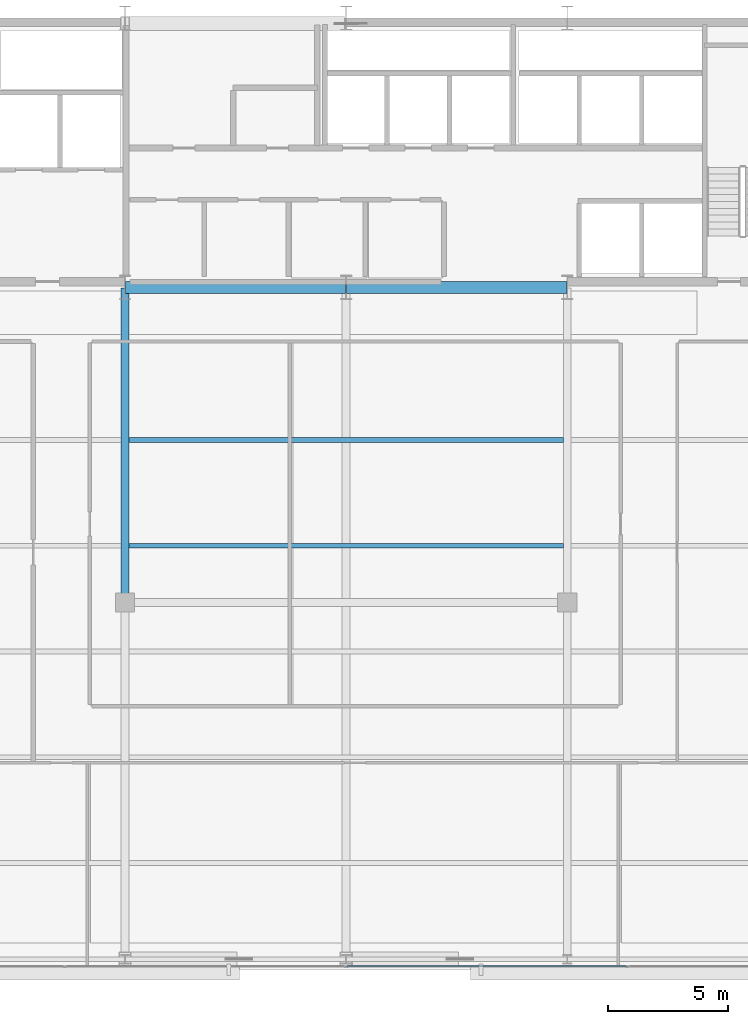
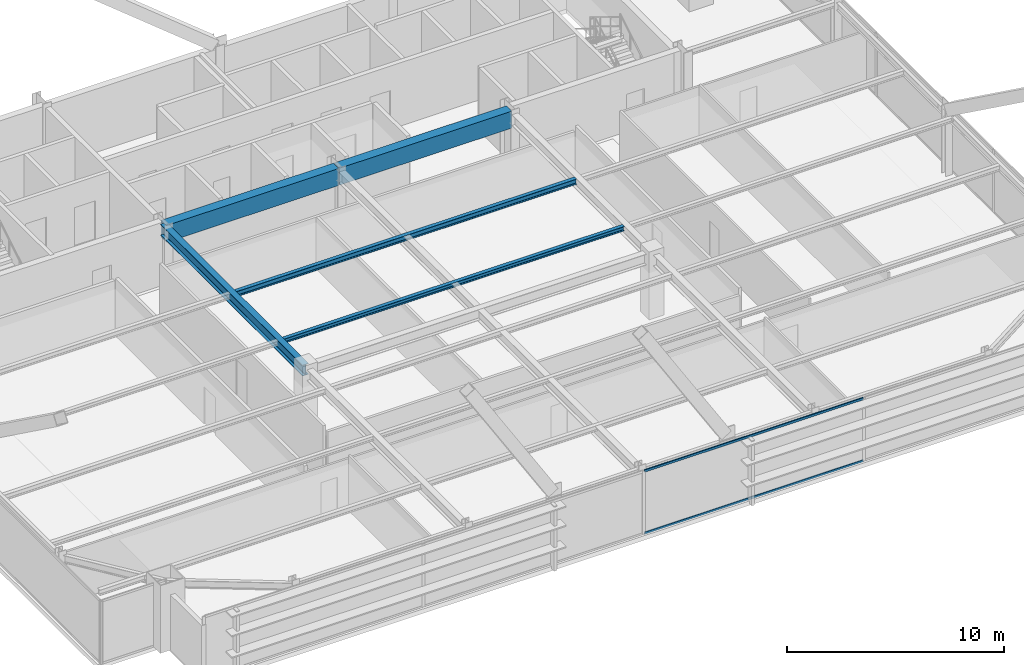
# One storey, part 12 of 30: 5 beams, 2 members, 1 element without a shape of its own.
"""IFC4 building model written with IfcOpenShell, lengths in metres."""

import ifcopenshell
import ifcopenshell.guid

model = None  # the IFC model being written
_history = None  # IfcOwnerHistory: only IFC2X3 demands one
_inside = {}  # id of a spatial element -> (the spatial element, [elements in it])
_under = {}  # id of a project, library or spatial element -> (it, [spatial elements below it])
_declared = {}  # id of a project -> (the project, [libraries it declares])
_typed = {}  # id of a type object -> (the type object, [elements of that type])
_made_of = {}  # id of a material, layer set ... -> (it, [elements and type objects made of it])


def new_model(schema):
    """Start an empty IFC model of exactly this schema.

    Asked for "IFC4X3", IfcOpenShell would pick the latest addendum, in which some entities
    have other attributes; the version numbers below select the first issue.
    IFC2X3 requires an IfcOwnerHistory on every rooted entity: one is made here for all.
    """
    global model, _history
    if schema == "IFC4X3":
        model = ifcopenshell.file(schema_version=(4, 3, 0, 0))
    else:
        model = ifcopenshell.file(schema=schema)
    _inside.clear()
    _under.clear()
    _declared.clear()
    _typed.clear()
    _made_of.clear()
    _history = None
    if model.schema == "IFC2X3":
        org = make("IfcOrganization", Name="unknown")
        user = make(
            "IfcPersonAndOrganization",
            ThePerson=make("IfcPerson", FamilyName="unknown"),
            TheOrganization=org,
        )
        app = make(
            "IfcApplication",
            ApplicationDeveloper=org,
            Version="unknown",
            ApplicationFullName="unknown",
            ApplicationIdentifier="unknown",
        )
        _history = make(
            "IfcOwnerHistory",
            OwningUser=user,
            OwningApplication=app,
            ChangeAction="ADDED",
            CreationDate=0,
        )
    return model


def make(cls, **values):
    """One entity of the class cls with the attributes given. An attribute that is None is left unset."""
    return model.create_entity(
        cls, **{name: value for name, value in values.items() if value is not None}
    )


def rooted(cls, **values):
    """An entity with a GlobalId (a new one), such as an element, a storey or a relation."""
    return make(cls, GlobalId=ifcopenshell.guid.new(), OwnerHistory=_history, **values)


def si_unit(unit_type, name, prefix=None):
    """IfcSIUnit, for example si_unit("LENGTHUNIT", "METRE", prefix="MILLI")."""
    return make("IfcSIUnit", UnitType=unit_type, Prefix=prefix, Name=name)


def assignment(units):
    """IfcUnitAssignment: the units of a project."""
    return None if units is None else make("IfcUnitAssignment", Units=units)


def point(xyz):
    """IfcCartesianPoint."""
    return None if xyz is None else make("IfcCartesianPoint", Coordinates=xyz)


def direction(xyz):
    """IfcDirection."""
    return None if xyz is None else make("IfcDirection", DirectionRatios=xyz)


def frame(location, z_axis=None, x_axis=None):
    """IfcAxis2Placement3D, a coordinate frame: its origin and axes. An axis left out is left unset."""
    return make(
        "IfcAxis2Placement3D",
        Location=point(location),
        Axis=direction(z_axis),
        RefDirection=direction(x_axis),
    )


def frame_2d(location, x_axis=None):
    """IfcAxis2Placement2D, a coordinate frame in the plane: its origin and x axis."""
    return make(
        "IfcAxis2Placement2D", Location=point(location), RefDirection=direction(x_axis)
    )


def origin():
    """The frame at (0, 0, 0) with its axes left unset."""
    return frame((0.0, 0.0, 0.0))


def origin_2d():
    """The frame at (0, 0) in the plane with its x axis left unset."""
    return frame_2d((0.0, 0.0))


def place(relative_to, where):
    """IfcLocalPlacement: puts the frame where relative to a parent placement (None: the world)."""
    return make(
        "IfcLocalPlacement", PlacementRelTo=relative_to, RelativePlacement=where
    )


def context(
    kind, dimensions, precision=None, world=None, true_north=None, identifier=None
):
    """IfcGeometricRepresentationContext, for example the 3D "Model" context."""
    return make(
        "IfcGeometricRepresentationContext",
        ContextIdentifier=identifier,
        ContextType=kind,
        CoordinateSpaceDimension=dimensions,
        Precision=precision,
        WorldCoordinateSystem=world,
        TrueNorth=true_north,
    )


def subcontext(parent, identifier, kind, view, scale=None):
    """IfcGeometricRepresentationSubContext, for example "Body" below "Model"."""
    return make(
        "IfcGeometricRepresentationSubContext",
        ContextIdentifier=identifier,
        ContextType=kind,
        ParentContext=parent,
        TargetScale=scale,
        TargetView=view,
    )


def project(units=None, contexts=None):
    """IfcProject with its units and contexts."""
    return rooted(
        "IfcProject",
        Name="project",
        RepresentationContexts=contexts,
        UnitsInContext=assignment(units),
    )


def spatial(cls, under=None, at=None, **own):
    """A site, building, storey or space (cls), placed at a placement, below another one or the project."""
    s = rooted(cls, ObjectPlacement=at, **own)
    if under is not None:
        _under.setdefault(under.id(), (under, []))[1].append(s)
    return s


def profile(cls, at=None, kind="AREA", **sizes):
    """A parametric profile (cls). Its sizes go by their IFC names, for example OverallWidth=200.0."""
    return make(cls, ProfileType=kind, Position=at, **sizes)


def rectangle(**sizes):
    """IfcRectangleProfileDef."""
    return profile("IfcRectangleProfileDef", **sizes)


def hollow_rectangle(**sizes):
    """IfcRectangleHollowProfileDef."""
    return profile("IfcRectangleHollowProfileDef", **sizes)


def i_section(**sizes):
    """IfcIShapeProfileDef."""
    return profile("IfcIShapeProfileDef", **sizes)


def extrude(swept, where, along, depth):
    """IfcExtrudedAreaSolid: the profile swept, set in the frame where, extruded along a direction by depth."""
    return make(
        "IfcExtrudedAreaSolid",
        SweptArea=swept,
        Position=where,
        ExtrudedDirection=direction(along),
        Depth=depth,
    )


def shape(context_of_items, identifier, shape_type, items):
    """IfcShapeRepresentation: the items that make up one representation, for example the "Body"."""
    return make(
        "IfcShapeRepresentation",
        ContextOfItems=context_of_items,
        RepresentationIdentifier=identifier,
        RepresentationType=shape_type,
        Items=items,
    )


def source(mapping_origin, context_of_items, identifier, shape_type, items):
    """IfcRepresentationMap: a shape defined once, which mapped items show again and again."""
    return make(
        "IfcRepresentationMap",
        MappingOrigin=mapping_origin,
        MappedRepresentation=shape(context_of_items, identifier, shape_type, items),
    )


def transform(
    local_origin,
    x_axis=None,
    y_axis=None,
    z_axis=None,
    scale=None,
    scale2=None,
    scale3=None,
    uniform=True,
):
    """IfcCartesianTransformationOperator3D, or its non-uniform kind. x_axis, y_axis, z_axis: its Axis1, 2, 3."""
    if uniform:
        return make(
            "IfcCartesianTransformationOperator3D",
            Axis1=direction(x_axis),
            Axis2=direction(y_axis),
            LocalOrigin=point(local_origin),
            Scale=scale,
            Axis3=direction(z_axis),
        )
    return make(
        "IfcCartesianTransformationOperator3DnonUniform",
        Axis1=direction(x_axis),
        Axis2=direction(y_axis),
        LocalOrigin=point(local_origin),
        Scale=scale,
        Axis3=direction(z_axis),
        Scale2=scale2,
        Scale3=scale3,
    )


def mapped(mapping_source, mapping_target):
    """IfcMappedItem: shows the shape of a source again, moved by a transform."""
    return make(
        "IfcMappedItem", MappingSource=mapping_source, MappingTarget=mapping_target
    )


def material(Name=None, Category=None):
    """IfcMaterial."""
    return make("IfcMaterial", Name=Name, Category=Category)


def layer(
    of_material, thickness, ventilated=None, Name=None, Category=None, Priority=None
):
    """IfcMaterialLayer: one layer of a wall or slab, of a material (None: an air gap)."""
    return make(
        "IfcMaterialLayer",
        Material=of_material,
        LayerThickness=thickness,
        IsVentilated=ventilated,
        Name=Name,
        Category=Category,
        Priority=Priority,
    )


def layer_set(layers, Name=None):
    """IfcMaterialLayerSet."""
    return make("IfcMaterialLayerSet", MaterialLayers=layers, LayerSetName=Name)


def material_profile(
    of_material, cross_section, Name=None, Category=None, Priority=None
):
    """IfcMaterialProfile: a cross section and its material."""
    return make(
        "IfcMaterialProfile",
        Name=Name,
        Material=of_material,
        Profile=cross_section,
        Priority=Priority,
        Category=Category,
    )


def profile_set(profiles, Name=None, composite=None):
    """IfcMaterialProfileSet."""
    return make(
        "IfcMaterialProfileSet",
        Name=Name,
        MaterialProfiles=profiles,
        CompositeProfile=composite,
    )


def made_of(thing, what):
    """Note that an element or type object is made of a material, layer set ...; save() writes the relation."""
    if what is not None:
        _made_of.setdefault(what.id(), (what, []))[1].append(thing)
    return thing


def type_object(cls, material=None, **own):
    """A type object (cls), such as IfcWallType, which elements share."""
    return made_of(rooted(cls, **own), material)


def type_shapes(of_type, sources):
    """Give a type object the sources (RepresentationMaps) that its elements show as mapped items."""
    of_type.RepresentationMaps = sources


def element(
    cls,
    number,
    at=None,
    inside=None,
    cuts=None,
    type_object=None,
    material=None,
    context=None,
    identifier="Body",
    shape_type=None,
    held_by="IfcProductDefinitionShape",
    body=None,
    shapes=None,
    **own,
):
    """One element of the class cls, such as IfcWall. Its Tag is "e" and its number.

    at: its placement. inside: the storey or other place that contains it. cuts: it is an
    opening in that element (IfcRelVoidsElement). A single representation is given by context,
    identifier, shape_type and body (its items); several are given by shapes. held_by: the class
    of the entity that holds the representations. save() writes the other relations.
    """
    e = rooted(cls, Tag="e%d" % number, ObjectPlacement=at, **own)
    if body is not None:
        shapes = [shape(context, identifier, shape_type, body)]
    if shapes is not None:
        e.Representation = make(held_by, Representations=shapes)
    if inside is not None:
        _inside.setdefault(inside.id(), (inside, []))[1].append(e)
    if cuts is not None:
        rooted(
            "IfcRelVoidsElement", RelatingBuildingElement=cuts, RelatedOpeningElement=e
        )
    if type_object is not None:
        _typed.setdefault(type_object.id(), (type_object, []))[1].append(e)
    return made_of(e, material)


def aggregate(whole, parts):
    """IfcRelAggregates: a whole, such as a stair, and the parts it consists of."""
    return rooted("IfcRelAggregates", RelatingObject=whole, RelatedObjects=parts)


def save(model, path):
    """Write the relations noted so far, then the file.

    IfcRelAggregates (storeys below a building ...), IfcRelContainedInSpatialStructure (elements
    in a storey), IfcRelDefinesByType, IfcRelAssociatesMaterial and IfcRelDeclares: one each for
    every whole, place, type object, material and project.
    """
    for whole, parts in _under.values():
        aggregate(whole, parts)
    for where, things in _inside.values():
        rooted(
            "IfcRelContainedInSpatialStructure",
            RelatedElements=things,
            RelatingStructure=where,
        )
    for kind, things in _typed.values():
        rooted("IfcRelDefinesByType", RelatedObjects=things, RelatingType=kind)
    for what, things in _made_of.values():
        rooted("IfcRelAssociatesMaterial", RelatedObjects=things, RelatingMaterial=what)
    for by, libraries in _declared.values():
        rooted("IfcRelDeclares", RelatingContext=by, RelatedDefinitions=libraries)
    model.write(path)


model = new_model("IFC4")

# Units and contexts
model_context = context("Model", 3, precision=1e-05, world=origin(), true_north=direction((0.0, 1.0)))
body_context = subcontext(model_context, "Body", "Model", "MODEL_VIEW")
ifc_project = project(units=[si_unit("LENGTHUNIT", "METRE"), si_unit("AREAUNIT", "SQUARE_METRE"), si_unit("VOLUMEUNIT", "CUBIC_METRE"), si_unit("PLANEANGLEUNIT", "RADIAN"), si_unit("MASSUNIT", "GRAM", prefix="KILO")], contexts=[model_context])

# Site, building, storey
site_placement = place(None, origin())
site = spatial("IfcSite", under=ifc_project, at=site_placement, CompositionType="ELEMENT")
building_placement = place(site_placement, origin())
building = spatial("IfcBuilding", under=site, at=building_placement, Name="Varnel Quay Broadcast Tower", CompositionType="ELEMENT")
storey_placement = place(building_placement, frame((0.0, 0.0, 149.60009765625)))
storey = spatial("IfcBuildingStorey", under=building, at=storey_placement, Name="L36", CompositionType="ELEMENT", Elevation=149.60009765625)

# Beams
ifc_material_1 = material(Name="Structural Steel CSA G40.21 350W", Category="steel")
ifc_material_profile_1 = material_profile(ifc_material_1, i_section(OverallWidth=0.324951171875, OverallDepth=0.615966796875, WebThickness=0.013916015625, FlangeThickness=0.021484375, FilletRadius=0.01611328125, at=origin_2d()), Name="W610X174")
ifc_profile_set_1 = profile_set([ifc_material_profile_1], Name="Structural Steel CSA G40.21 350W")
beam_type_1 = type_object("IfcBeamType", Name="Girder_W610X174", PredefinedType="BEAM", material=ifc_profile_set_1)
shared_shape_1 = source(origin(), body_context, "Body", "SweptSolid", [
    extrude(i_section(OverallWidth=0.324951171875, OverallDepth=0.615966796875, WebThickness=0.013916015625, FlangeThickness=0.021484375, FilletRadius=0.01611328125, at=origin_2d()), origin(), (0.0, 0.0, 1.0), 13.070068359375),
])
type_shapes(beam_type_1, [shared_shape_1])
beam_1_placement = place(storey_placement, frame((24.800048828125, 22.510009765625, 3.241943359375), z_axis=(0.0, 1.0, 0.0), x_axis=(-1.0, 0.0, 0.0)))
element("IfcBeam", 1, at=beam_1_placement, inside=storey, type_object=beam_type_1, Name="L36 Primary Girder IC-01-CC-S2", PredefinedType="BEAM", context=body_context, shape_type="MappedRepresentation", body=[
    mapped(shared_shape_1, transform((0.0, 0.0, 0.0), x_axis=(1.0, 0.0, 0.0), y_axis=(0.0, 1.0, 0.0), z_axis=(0.0, 0.0, 1.0), scale=1.0)),
])
ifc_material_2 = material(Name="Concrete CSA A23.3 C50/60", Category="concrete")
ifc_material_profile_2 = material_profile(ifc_material_2, rectangle(XDim=0.5, YDim=0.949951171875, at=origin_2d()), Name="RC500X950")
ifc_profile_set_2 = profile_set([ifc_material_profile_2], Name="Concrete CSA A23.3 C50/60")
beam_type_2 = type_object("IfcBeamType", Name="Beam_RC500X950", PredefinedType="BEAM", material=ifc_profile_set_2)
shared_shape_2 = source(origin(), body_context, "Body", "SweptSolid", [
    extrude(rectangle(XDim=0.5, YDim=0.949951171875, at=origin_2d()), origin(), (0.0, 0.0, 1.0), 9.159912109375),
])
type_shapes(beam_type_2, [shared_shape_2])
for number, where, z_axis, x_axis, name in (
    (2, (24.820068359375, 35.60009765625, 3.074951171875), (1.0, 0.0, 0.0), (0.0, 1.0, 0.0), "L36 Core Coupling Beam W"),
    (3, (34.02001953125, 35.60009765625, 3.074951171875), (1.0, 0.0, 0.0), (0.0, 1.0, 0.0), "L36 Core Coupling Beam E"),
):
    element("IfcBeam", number, at=place(storey_placement, frame(where, z_axis=z_axis, x_axis=x_axis)), inside=storey, type_object=beam_type_2, Name=name, PredefinedType="BEAM", context=body_context, shape_type="MappedRepresentation", body=[
        mapped(shared_shape_2, transform((0.0, 0.0, 0.0), x_axis=(1.0, 0.0, 0.0), y_axis=(0.0, 1.0, 0.0), z_axis=(0.0, 0.0, 1.0), scale=1.0)),
    ])
ifc_material_profile_3 = material_profile(ifc_material_1, i_section(OverallWidth=0.202880859375, OverallDepth=0.302978515625, WebThickness=0.007568359375, FlangeThickness=0.01318359375, FilletRadius=0.011962890625, at=origin_2d()), Name="W310X60")
ifc_profile_set_3 = profile_set([ifc_material_profile_3], Name="Structural Steel CSA G40.21 350W")
beam_type_3 = type_object("IfcBeamType", Name="Beam_W310X60", PredefinedType="JOIST", material=ifc_profile_set_3)
shared_shape_3 = source(origin(), body_context, "Body", "SweptSolid", [
    extrude(i_section(OverallWidth=0.202880859375, OverallDepth=0.302978515625, WebThickness=0.007568359375, FlangeThickness=0.01318359375, FilletRadius=0.011962890625, at=origin_2d()), origin(), (0.0, 0.0, 1.0), 18.0849609375),
])
type_shapes(beam_type_3, [shared_shape_3])
beam_2_placement = place(storey_placement, frame((24.95751953125, 29.25, 3.3984375), z_axis=(1.0, 0.0, 0.0), x_axis=(0.0, 1.0, 0.0)))
element("IfcBeam", 4, at=beam_2_placement, inside=storey, type_object=beam_type_3, Name="L36 Central Floor Joist 5", PredefinedType="JOIST", context=body_context, shape_type="MappedRepresentation", body=[
    mapped(shared_shape_3, transform((0.0, 0.0, 0.0), x_axis=(1.0, 0.0, 0.0), y_axis=(0.0, 1.0, 0.0), z_axis=(0.0, 0.0, 1.0), scale=1.0)),
])
ifc_material_profile_4 = material_profile(ifc_material_1, i_section(OverallWidth=0.201904296875, OverallDepth=0.2470703125, WebThickness=0.00732421875, FlangeThickness=0.010986328125, FilletRadius=0.010986328125, at=origin_2d()), Name="W250X49")
ifc_profile_set_4 = profile_set([ifc_material_profile_4], Name="Structural Steel CSA G40.21 350W")
beam_type_4 = type_object("IfcBeamType", Name="Beam_W250X49", PredefinedType="JOIST", material=ifc_profile_set_4)
shared_shape_4 = source(origin(), body_context, "Body", "SweptSolid", [
    extrude(i_section(OverallWidth=0.201904296875, OverallDepth=0.2470703125, WebThickness=0.00732421875, FlangeThickness=0.010986328125, FilletRadius=0.010986328125, at=origin_2d()), origin(), (0.0, 0.0, 1.0), 18.0849609375),
])
type_shapes(beam_type_4, [shared_shape_4])
beam_3_placement = place(storey_placement, frame((24.95751953125, 24.85009765625, 3.426513671875), z_axis=(1.0, 0.0, 0.0), x_axis=(0.0, 1.0, 0.0)))
element("IfcBeam", 5, at=beam_3_placement, inside=storey, type_object=beam_type_4, Name="L36 Central Floor Joist 4", PredefinedType="JOIST", context=body_context, shape_type="MappedRepresentation", body=[
    mapped(shared_shape_4, transform((0.0, 0.0, 0.0), x_axis=(1.0, 0.0, 0.0), y_axis=(0.0, 1.0, 0.0), z_axis=(0.0, 0.0, 1.0), scale=1.0)),
])

# Curtain wall, members
ifc_material_3 = material(Name="Anodised Bronze Aluminium 6063-T6", Category="aluminium")
ifc_layer = layer(ifc_material_3, 0.18994140625, Name="Anodised Bronze Aluminium 6063-T6")
ifc_layer_set = layer_set([ifc_layer], Name="Anodised Bronze Aluminium 6063-T6")
curtain_wall_type = type_object("IfcCurtainWallType", Name="CW_UpperTower", PredefinedType="NOTDEFINED", material=ifc_layer_set)
curtain_wall_placement = place(storey_placement, origin())
curtain_wall = element("IfcCurtainWall", 6, at=curtain_wall_placement, inside=storey, type_object=curtain_wall_type, Name="L36 South Unitised Curtain Wall 1", PredefinedType="NOTDEFINED")
ifc_material_profile_5 = material_profile(ifc_material_3, hollow_rectangle(XDim=0.06005859375, YDim=0.125, WallThickness=0.0029296875, at=origin_2d()), Name="ALU60X125X3")
ifc_profile_set_5 = profile_set([ifc_material_profile_5], Name="Anodised Bronze Aluminium 6063-T6")
member_type = type_object("IfcMemberType", Name="Tran_CWS-03", PredefinedType="USERDEFINED", material=ifc_profile_set_5)
shared_shape_5 = source(origin(), body_context, "Body", "SweptSolid", [
    extrude(hollow_rectangle(XDim=0.06005859375, YDim=0.125, WallThickness=0.0029296875, at=origin_2d()), origin(), (0.0, 0.0, 1.0), 11.635009765625),
])
type_shapes(member_type, [shared_shape_5])
member_1_placement = place(storey_placement, frame((34.032470703125, 7.35009765625, 0.02978515625), z_axis=(1.0, 0.0, 0.0), x_axis=(0.0, 1.0, 0.0)))
member_1 = element("IfcMember", 7, at=member_1_placement, type_object=member_type, Name="CWS-03 transom 3.1", ObjectType="TRANSOM", PredefinedType="USERDEFINED", context=body_context, shape_type="MappedRepresentation", body=[
    mapped(shared_shape_5, transform((0.0, 0.0, 0.0), x_axis=(1.0, 0.0, 0.0), y_axis=(0.0, 1.0, 0.0), z_axis=(0.0, 0.0, 1.0), scale=1.0)),
])
member_2_placement = place(storey_placement, frame((34.032470703125, 7.35009765625, 3.52001953125), z_axis=(1.0, 0.0, 0.0), x_axis=(0.0, 1.0, 0.0)))
member_2 = element("IfcMember", 8, at=member_2_placement, type_object=member_type, Name="CWS-03 transom 3.2", ObjectType="TRANSOM", PredefinedType="USERDEFINED", context=body_context, shape_type="MappedRepresentation", body=[
    mapped(shared_shape_5, transform((0.0, 0.0, 0.0), x_axis=(1.0, 0.0, 0.0), y_axis=(0.0, 1.0, 0.0), z_axis=(0.0, 0.0, 1.0), scale=1.0)),
])
aggregate(curtain_wall, [member_1, member_2])

save(model, "model.ifc")
